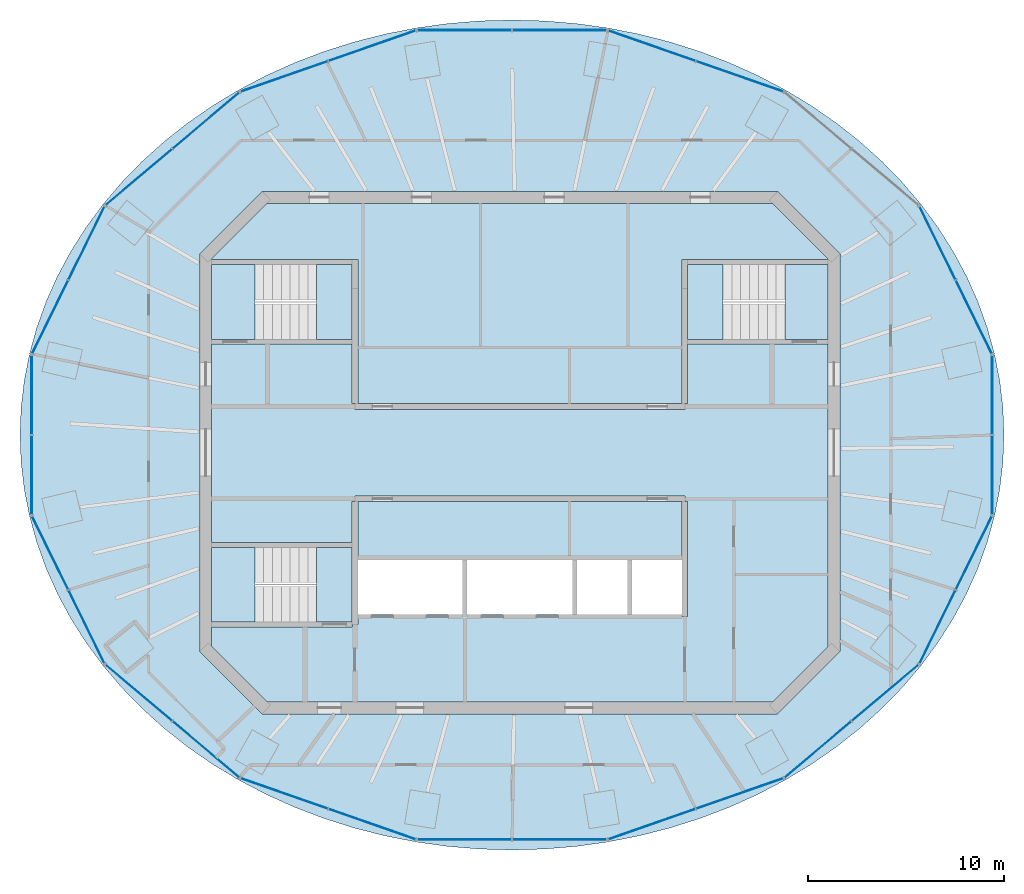
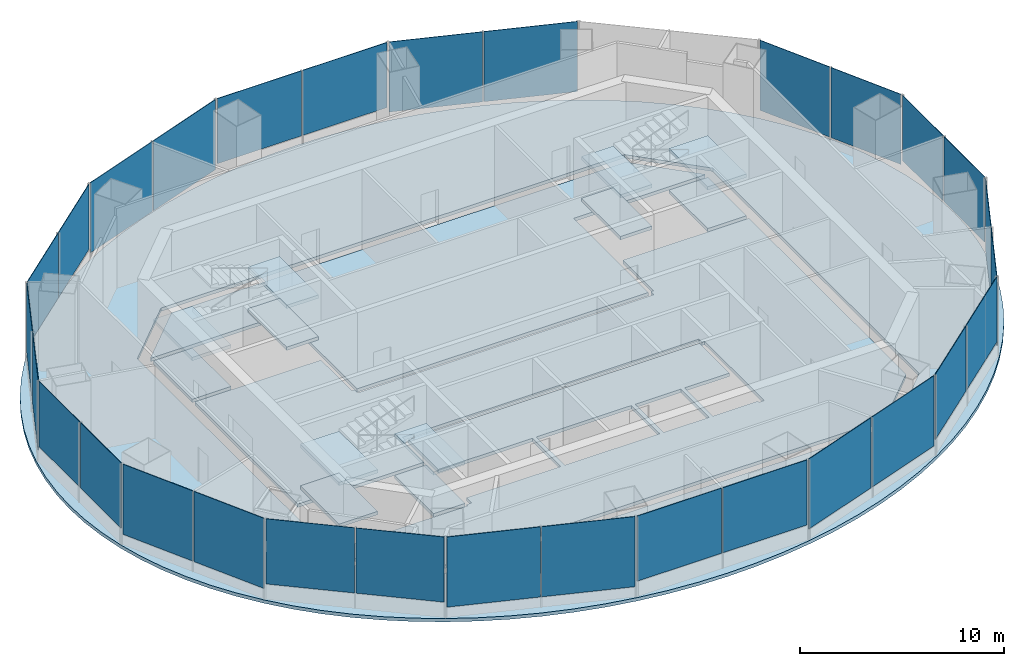
# One storey, part 7 of 12: 30 plates, 15 slabs, 18 elements without a shape of their own.
"""IFC4 building model written with IfcOpenShell, lengths in metres."""

from ifc_helpers import new_model, si_unit, direction, frame, origin, origin_2d, place, context, subcontext, project, spatial, polyline, rectangle, outline, extrude, material, layer, layer_set, type_object, element, aggregate, save


model = new_model("IFC4")

# Units and contexts
model_context = context("Model", 3, precision=1e-05, world=origin(), true_north=direction((0.0, 1.0)))
body_context = subcontext(model_context, "Body", "Model", "MODEL_VIEW")
ifc_project = project(units=[si_unit("LENGTHUNIT", "METRE"), si_unit("AREAUNIT", "SQUARE_METRE"), si_unit("VOLUMEUNIT", "CUBIC_METRE"), si_unit("PLANEANGLEUNIT", "RADIAN"), si_unit("MASSUNIT", "GRAM", prefix="KILO")], contexts=[model_context])

# Site, building, storey
site_placement = place(None, origin())
site = spatial("IfcSite", under=ifc_project, at=site_placement, CompositionType="ELEMENT")
building_placement = place(site_placement, origin())
building = spatial("IfcBuilding", under=site, at=building_placement, Name="Marenthal Gate Tower", CompositionType="ELEMENT")
storey_placement = place(building_placement, frame((0.0, 0.0, 413.550048828125)))
storey = spatial("IfcBuildingStorey", under=building, at=storey_placement, Name="L93", CompositionType="ELEMENT", Elevation=413.550048828125)

# Slabs
ifc_material_1 = material(Name="Concrete 50 MPa", Category="concrete")
ifc_layer_1 = layer(ifc_material_1, 0.199951171875)
ifc_layer_set_1 = layer_set([ifc_layer_1], Name="Core floor slab 200")
slab_type_1 = type_object("IfcSlabType", Name="Core floor slab 200", PredefinedType="FLOOR", material=ifc_layer_set_1)
slab_1_placement = place(storey_placement, frame((0.0, 0.0, -0.199951171875)))
element("IfcSlab", 1, at=slab_1_placement, inside=storey, type_object=slab_type_1, Name="Core floor L93", PredefinedType="FLOOR", context=body_context, shape_type="SweptSolid", body=[
    extrude(outline(polyline([(12.875732421875, -12.699951171875), (-12.875732421875, -12.699951171875), (-15.699951171875, -9.875732421875), (-15.699951171875, -8.875), (-8.550048828125, -8.875), (-8.550048828125, -8.75), (-8.25, -8.75), (-8.25, -8.239990234375), (-5.60009765625, -8.239990234375), (-2.909912109375, -8.239990234375), (-2.909912109375, -5.4599609375), (-5.60009765625, -5.4599609375), (-8.25, -5.4599609375), (-8.25, -2.5), (8.25, -2.5), (8.25, -5.4599609375), (5.7099609375, -5.4599609375), (5.7099609375, -8.239990234375), (8.25, -8.239990234375), (8.25, -8.35009765625), (8.550048828125, -8.35009765625), (8.550048828125, -2.5), (8.39990234375, -2.5), (8.39990234375, -2.199951171875), (-8.39990234375, -2.199951171875), (-8.39990234375, -2.5), (-8.550048828125, -2.5), (-8.550048828125, -4.574951171875), (-15.699951171875, -4.574951171875), (-15.699951171875, 5.52490234375), (-8.550048828125, 5.52490234375), (-8.550048828125, 2.5), (-8.39990234375, 2.5), (-8.39990234375, 2.199951171875), (8.39990234375, 2.199951171875), (8.39990234375, 2.5), (8.550048828125, 2.5), (8.550048828125, 5.52490234375), (15.699951171875, 5.52490234375), (15.699951171875, -9.875732421875), (12.875732421875, -12.699951171875)]), holes=[polyline([(0.0, -8.239990234375), (2.68994140625, -8.239990234375), (2.68994140625, -5.4599609375), (0.0, -5.4599609375), (-2.68994140625, -5.4599609375), (-2.68994140625, -8.239990234375), (0.0, -8.239990234375)]), polyline([(2.909912109375, -5.4599609375), (2.909912109375, -8.239990234375), (5.489990234375, -8.239990234375), (5.489990234375, -5.4599609375), (2.909912109375, -5.4599609375)])]), origin(), (0.0, 0.0, 1.0), 0.199951171875),
])
slab_2_placement = place(storey_placement, frame((0.0, 0.0, -0.199951171875)))
element("IfcSlab", 2, at=slab_2_placement, inside=storey, type_object=slab_type_1, Name="Core floor L93", PredefinedType="FLOOR", context=body_context, shape_type="SweptSolid", body=[
    extrude(outline(polyline([(15.699951171875, 5.77490234375), (13.5, 5.77490234375), (13.5, 9.574951171875), (15.699951171875, 9.574951171875), (15.699951171875, 5.77490234375)])), origin(), (0.0, 0.0, 1.0), 0.199951171875),
])
slab_3_placement = place(storey_placement, frame((0.0, 0.0, -0.199951171875)))
element("IfcSlab", 3, at=slab_3_placement, inside=storey, type_object=slab_type_1, Name="Core floor L93", PredefinedType="FLOOR", context=body_context, shape_type="SweptSolid", body=[
    extrude(outline(polyline([(15.699951171875, 9.824951171875), (8.550048828125, 9.824951171875), (8.25, 9.824951171875), (8.25, 8.35009765625), (8.25, 2.5), (-8.25, 2.5), (-8.25, 8.35009765625), (-8.25, 9.824951171875), (-8.550048828125, 9.824951171875), (-15.699951171875, 9.824951171875), (-15.699951171875, 9.875732421875), (-12.875732421875, 12.699951171875), (12.875732421875, 12.699951171875), (15.699951171875, 9.875732421875), (15.699951171875, 9.824951171875)])), origin(), (0.0, 0.0, 1.0), 0.199951171875),
])
slab_4_placement = place(storey_placement, frame((0.0, 0.0, -0.199951171875)))
element("IfcSlab", 4, at=slab_4_placement, inside=storey, type_object=slab_type_1, Name="Core floor L93", PredefinedType="FLOOR", context=body_context, shape_type="SweptSolid", body=[
    extrude(outline(polyline([(-15.699951171875, 9.574951171875), (-13.5, 9.574951171875), (-13.5, 5.77490234375), (-15.699951171875, 5.77490234375), (-15.699951171875, 9.574951171875)])), origin(), (0.0, 0.0, 1.0), 0.199951171875),
])
slab_5_placement = place(storey_placement, frame((0.0, 0.0, -0.199951171875)))
element("IfcSlab", 5, at=slab_5_placement, inside=storey, type_object=slab_type_1, Name="Core floor L93", PredefinedType="FLOOR", context=body_context, shape_type="SweptSolid", body=[
    extrude(outline(polyline([(-10.35009765625, -8.625), (-10.35009765625, -4.824951171875), (-8.550048828125, -4.824951171875), (-8.550048828125, -8.625), (-10.35009765625, -8.625)])), origin(), (0.0, 0.0, 1.0), 0.199951171875),
])

# Curtain wall, plates
ifc_material_2 = material(Name="Aluminium and glass", Category="aluminium")
curtain_wall_type_1 = type_object("IfcCurtainWallType", Name="Curtain wall typical high", PredefinedType="NOTDEFINED", material=ifc_material_2)
curtain_wall_1_placement = place(storey_placement, origin())
curtain_wall_1 = element("IfcCurtainWall", 6, at=curtain_wall_1_placement, inside=storey, type_object=curtain_wall_type_1, Name="Curtain wall L93 bay 4", PredefinedType="NOTDEFINED")
ifc_material_3 = material(Name="Glass, laminated insulating unit", Category="glass")
ifc_layer_2 = layer(ifc_material_3, 0.031982421875)
ifc_layer_set_2 = layer_set([ifc_layer_2], Name="Glass panel 32 typical high")
plate_type_1 = type_object("IfcPlateType", Name="Glass panel 32 typical high", PredefinedType="CURTAIN_PANEL", material=ifc_layer_set_2)
plate_1_placement = place(storey_placement, frame((2.017578125, 21.51123046875, 0.89990234375), z_axis=(0.0, 0.0, 1.0), x_axis=(-1.0, 0.0, 0.0)))
plate_1 = element("IfcPlate", 7, at=plate_1_placement, type_object=plate_type_1, Name="Glass panel L93 bay 4.1", PredefinedType="CURTAIN_PANEL", context=body_context, shape_type="SweptSolid", body=[
    extrude(rectangle(XDim=4.775146484375, YDim=0.031982421875, at=origin_2d()), origin(), (0.0, 0.0, 1.0), 3.89990234375),
])
plate_2_placement = place(storey_placement, frame((-2.817626953125, 21.51123046875, 0.89990234375), z_axis=(0.0, 0.0, 1.0), x_axis=(-1.0, 0.0, 0.0)))
plate_2 = element("IfcPlate", 8, at=plate_2_placement, type_object=plate_type_1, Name="Glass panel L93 bay 4.2", PredefinedType="CURTAIN_PANEL", context=body_context, shape_type="SweptSolid", body=[
    extrude(rectangle(XDim=4.775146484375, YDim=0.031982421875, at=origin_2d()), origin(), (0.0, 0.0, 1.0), 3.89990234375),
])
aggregate(curtain_wall_1, [plate_1, plate_2])

curtain_wall_2_placement = place(storey_placement, origin())
curtain_wall_2 = element("IfcCurtainWall", 9, at=curtain_wall_2_placement, inside=storey, type_object=curtain_wall_type_1, Name="Curtain wall L93 bay 6", PredefinedType="NOTDEFINED")
plate_3_placement = place(storey_placement, frame((-15.986328125, 16.9140625, 0.89990234375), z_axis=(0.0, 0.0, 1.0), x_axis=(-0.764693267919, -0.644394449075, 0.0)))
plate_3 = element("IfcPlate", 10, at=plate_3_placement, type_object=plate_type_1, Name="Glass panel L93 bay 6.1", PredefinedType="CURTAIN_PANEL", context=body_context, shape_type="SweptSolid", body=[
    extrude(rectangle(XDim=4.40869140625, YDim=0.031982421875, at=origin_2d()), origin(), (0.0, 0.0, 1.0), 3.89990234375),
])
plate_4_placement = place(storey_placement, frame((-19.403564453125, 14.034423828125, 0.89990234375), z_axis=(0.0, 0.0, 1.0), x_axis=(-0.764693267919, -0.644394449075, 0.0)))
plate_4 = element("IfcPlate", 11, at=plate_4_placement, type_object=plate_type_1, Name="Glass panel L93 bay 6.2", PredefinedType="CURTAIN_PANEL", context=body_context, shape_type="SweptSolid", body=[
    extrude(rectangle(XDim=4.40869140625, YDim=0.031982421875, at=origin_2d()), origin(), (0.0, 0.0, 1.0), 3.89990234375),
])
aggregate(curtain_wall_2, [plate_3, plate_4])

curtain_wall_3_placement = place(storey_placement, origin())
curtain_wall_3 = element("IfcCurtainWall", 12, at=curtain_wall_3_placement, inside=storey, type_object=curtain_wall_type_1, Name="Curtain wall L93 bay 8", PredefinedType="NOTDEFINED")
plate_5_placement = place(storey_placement, frame((-24.85888671875, 2.934814453125, 0.89990234375), z_axis=(0.0, 0.0, 1.0), x_axis=(0.0, -1.0, 0.0)))
plate_5 = element("IfcPlate", 13, at=plate_5_placement, type_object=plate_type_1, Name="Glass panel L93 bay 8.1", PredefinedType="CURTAIN_PANEL", context=body_context, shape_type="SweptSolid", body=[
    extrude(rectangle(XDim=4.009765625, YDim=0.031982421875, at=origin_2d()), origin(), (0.0, 0.0, 1.0), 3.89990234375),
])
plate_6_placement = place(storey_placement, frame((-24.85888671875, -1.135009765625, 0.89990234375), z_axis=(0.0, 0.0, 1.0), x_axis=(0.0, -1.0, 0.0)))
plate_6 = element("IfcPlate", 14, at=plate_6_placement, type_object=plate_type_1, Name="Glass panel L93 bay 8.2", PredefinedType="CURTAIN_PANEL", context=body_context, shape_type="SweptSolid", body=[
    extrude(rectangle(XDim=4.009765625, YDim=0.031982421875, at=origin_2d()), origin(), (0.0, 0.0, 1.0), 3.89990234375),
])
aggregate(curtain_wall_3, [plate_5, plate_6])

curtain_wall_4_placement = place(storey_placement, origin())
curtain_wall_4 = element("IfcCurtainWall", 15, at=curtain_wall_4_placement, inside=storey, type_object=curtain_wall_type_1, Name="Curtain wall L93 bay 10", PredefinedType="NOTDEFINED")
plate_7_placement = place(storey_placement, frame((-19.403564453125, -12.234375, 0.89990234375), z_axis=(0.0, 0.0, 1.0), x_axis=(0.764693267919, -0.644394449075, 0.0)))
plate_7 = element("IfcPlate", 16, at=plate_7_placement, type_object=plate_type_1, Name="Glass panel L93 bay 10.1", PredefinedType="CURTAIN_PANEL", context=body_context, shape_type="SweptSolid", body=[
    extrude(rectangle(XDim=4.40869140625, YDim=0.031982421875, at=origin_2d()), origin(), (0.0, 0.0, 1.0), 3.89990234375),
])
plate_8_placement = place(storey_placement, frame((-15.986328125, -15.1142578125, 0.89990234375), z_axis=(0.0, 0.0, 1.0), x_axis=(0.764693267919, -0.644394449075, 0.0)))
plate_8 = element("IfcPlate", 17, at=plate_8_placement, type_object=plate_type_1, Name="Glass panel L93 bay 10.2", PredefinedType="CURTAIN_PANEL", context=body_context, shape_type="SweptSolid", body=[
    extrude(rectangle(XDim=4.40869140625, YDim=0.031982421875, at=origin_2d()), origin(), (0.0, 0.0, 1.0), 3.89990234375),
])
aggregate(curtain_wall_4, [plate_7, plate_8])

curtain_wall_5_placement = place(storey_placement, origin())
curtain_wall_5 = element("IfcCurtainWall", 18, at=curtain_wall_5_placement, inside=storey, type_object=curtain_wall_type_1, Name="Curtain wall L93 bay 12", PredefinedType="NOTDEFINED")
plate_9_placement = place(storey_placement, frame((-2.817626953125, -19.711181640625, 0.89990234375), z_axis=(0.0, 0.0, 1.0), x_axis=(1.0, 0.0, 0.0)))
plate_9 = element("IfcPlate", 19, at=plate_9_placement, type_object=plate_type_1, Name="Glass panel L93 bay 12.1", PredefinedType="CURTAIN_PANEL", context=body_context, shape_type="SweptSolid", body=[
    extrude(rectangle(XDim=4.775146484375, YDim=0.031982421875, at=origin_2d()), origin(), (0.0, 0.0, 1.0), 3.89990234375),
])
plate_10_placement = place(storey_placement, frame((2.017578125, -19.711181640625, 0.89990234375), z_axis=(0.0, 0.0, 1.0), x_axis=(1.0, 0.0, 0.0)))
plate_10 = element("IfcPlate", 20, at=plate_10_placement, type_object=plate_type_1, Name="Glass panel L93 bay 12.2", PredefinedType="CURTAIN_PANEL", context=body_context, shape_type="SweptSolid", body=[
    extrude(rectangle(XDim=4.775146484375, YDim=0.031982421875, at=origin_2d()), origin(), (0.0, 0.0, 1.0), 3.89990234375),
])
aggregate(curtain_wall_5, [plate_9, plate_10])

curtain_wall_6_placement = place(storey_placement, origin())
curtain_wall_6 = element("IfcCurtainWall", 21, at=curtain_wall_6_placement, inside=storey, type_object=curtain_wall_type_1, Name="Curtain wall L93 bay 14", PredefinedType="NOTDEFINED")
plate_11_placement = place(storey_placement, frame((15.186279296875, -15.114013671875, 0.89990234375), z_axis=(0.0, 0.0, 1.0), x_axis=(0.764693267919, 0.644394449075, 0.0)))
plate_11 = element("IfcPlate", 22, at=plate_11_placement, type_object=plate_type_1, Name="Glass panel L93 bay 14.1", PredefinedType="CURTAIN_PANEL", context=body_context, shape_type="SweptSolid", body=[
    extrude(rectangle(XDim=4.40869140625, YDim=0.031982421875, at=origin_2d()), origin(), (0.0, 0.0, 1.0), 3.89990234375),
])
plate_12_placement = place(storey_placement, frame((18.603515625, -12.234375, 0.89990234375), z_axis=(0.0, 0.0, 1.0), x_axis=(0.764693267919, 0.644394449075, 0.0)))
plate_12 = element("IfcPlate", 23, at=plate_12_placement, type_object=plate_type_1, Name="Glass panel L93 bay 14.2", PredefinedType="CURTAIN_PANEL", context=body_context, shape_type="SweptSolid", body=[
    extrude(rectangle(XDim=4.40869140625, YDim=0.031982421875, at=origin_2d()), origin(), (0.0, 0.0, 1.0), 3.89990234375),
])
aggregate(curtain_wall_6, [plate_11, plate_12])

curtain_wall_7_placement = place(storey_placement, origin())
curtain_wall_7 = element("IfcCurtainWall", 24, at=curtain_wall_7_placement, inside=storey, type_object=curtain_wall_type_1, Name="Curtain wall L93 bay 16", PredefinedType="NOTDEFINED")
plate_13_placement = place(storey_placement, frame((24.058837890625, -1.135009765625, 0.89990234375), z_axis=(0.0, 0.0, 1.0), x_axis=(0.0, 1.0, 0.0)))
plate_13 = element("IfcPlate", 25, at=plate_13_placement, type_object=plate_type_1, Name="Glass panel L93 bay 16.1", PredefinedType="CURTAIN_PANEL", context=body_context, shape_type="SweptSolid", body=[
    extrude(rectangle(XDim=4.009765625, YDim=0.031982421875, at=origin_2d()), origin(), (0.0, 0.0, 1.0), 3.89990234375),
])
plate_14_placement = place(storey_placement, frame((24.058837890625, 2.934814453125, 0.89990234375), z_axis=(0.0, 0.0, 1.0), x_axis=(0.0, 1.0, 0.0)))
plate_14 = element("IfcPlate", 26, at=plate_14_placement, type_object=plate_type_1, Name="Glass panel L93 bay 16.2", PredefinedType="CURTAIN_PANEL", context=body_context, shape_type="SweptSolid", body=[
    extrude(rectangle(XDim=4.009765625, YDim=0.031982421875, at=origin_2d()), origin(), (0.0, 0.0, 1.0), 3.89990234375),
])
aggregate(curtain_wall_7, [plate_13, plate_14])

# Slab
ifc_material_4 = material(Name="Concrete 35 MPa", Category="concrete")
ifc_layer_3 = layer(ifc_material_4, 0.199951171875)
ifc_layer_set_3 = layer_set([ifc_layer_3], Name="Plant floor slab 200")
slab_type_2 = type_object("IfcSlabType", Name="Plant floor slab 200", PredefinedType="FLOOR", material=ifc_layer_set_3)
slab_6_placement = place(storey_placement, frame((0.0, 0.0, -0.199951171875)))
element("IfcSlab", 27, at=slab_6_placement, inside=storey, type_object=slab_type_2, Name="SL-L93-01", PredefinedType="FLOOR", context=body_context, shape_type="SweptSolid", body=[
    extrude(outline(polyline([(24.657958984375, 0.89990234375), (24.604248046875, 2.2822265625), (24.443603515625, 3.65869140625), (24.176513671875, 5.023193359375), (23.80419921875, 6.3701171875), (23.328125, 7.693603515625), (22.75048828125, 8.988037109375), (22.07373046875, 10.247802734375), (21.30078125, 11.467529296875), (20.43505859375, 12.64208984375), (19.479736328125, 13.76611328125), (18.439697265625, 14.835205078125), (17.318603515625, 15.8447265625), (16.121826171875, 16.7900390625), (14.854248046875, 17.66748046875), (13.521484375, 18.47314453125), (12.12890625, 19.203369140625), (10.682861328125, 19.85546875), (9.189208984375, 20.42626953125), (7.654541015625, 20.913330078125), (6.08544921875, 21.314697265625), (4.488525390625, 21.62890625), (2.87060546875, 21.854248046875), (1.239013671875, 21.98974609375), (-0.39990234375, 22.034912109375), (-2.038818359375, 21.98974609375), (-3.670654296875, 21.854248046875), (-5.28857421875, 21.62890625), (-6.885498046875, 21.314697265625), (-8.45458984375, 20.913330078125), (-9.9892578125, 20.42626953125), (-11.48291015625, 19.85546875), (-12.928955078125, 19.203369140625), (-14.321533203125, 18.47314453125), (-15.654296875, 17.66748046875), (-16.921875, 16.7900390625), (-18.11865234375, 15.8447265625), (-19.239501953125, 14.835205078125), (-20.27978515625, 13.76611328125), (-21.235107421875, 12.64208984375), (-22.100830078125, 11.467529296875), (-22.873779296875, 10.247802734375), (-23.550537109375, 8.988037109375), (-24.128173828125, 7.693603515625), (-24.604248046875, 6.3701171875), (-24.9765625, 5.023193359375), (-25.24365234375, 3.65869140625), (-25.404296875, 2.2822265625), (-25.4580078125, 0.89990234375), (-25.404296875, -0.482421875), (-25.24365234375, -1.858642578125), (-24.9765625, -3.22314453125), (-24.604248046875, -4.570068359375), (-24.128173828125, -5.8935546875), (-23.550537109375, -7.18798828125), (-22.873779296875, -8.44775390625), (-22.100830078125, -9.66748046875), (-21.235107421875, -10.842041015625), (-20.27978515625, -11.96630859375), (-19.239501953125, -13.035400390625), (-18.11865234375, -14.044677734375), (-16.921875, -14.989990234375), (-15.654296875, -15.867431640625), (-14.321533203125, -16.673095703125), (-12.928955078125, -17.4033203125), (-11.48291015625, -18.055419921875), (-9.9892578125, -18.626220703125), (-8.45458984375, -19.11328125), (-6.885498046875, -19.514892578125), (-5.28857421875, -19.828857421875), (-3.670654296875, -20.05419921875), (-2.038818359375, -20.189697265625), (-0.39990234375, -20.235107421875), (1.239013671875, -20.189697265625), (2.87060546875, -20.05419921875), (4.488525390625, -19.828857421875), (6.08544921875, -19.514892578125), (7.654541015625, -19.11328125), (9.189208984375, -18.626220703125), (10.682861328125, -18.055419921875), (12.12890625, -17.4033203125), (13.521484375, -16.673095703125), (14.854248046875, -15.867431640625), (16.121826171875, -14.989990234375), (17.318603515625, -14.044677734375), (18.439697265625, -13.035400390625), (19.479736328125, -11.96630859375), (20.43505859375, -10.842041015625), (21.30078125, -9.66748046875), (22.07373046875, -8.44775390625), (22.75048828125, -7.18798828125), (23.328125, -5.8935546875), (23.80419921875, -4.570068359375), (24.176513671875, -3.22314453125), (24.443603515625, -1.858642578125), (24.604248046875, -0.482421875), (24.657958984375, 0.89990234375)]), holes=[polyline([(13.124267578125, -13.300048828125), (16.300048828125, -10.124267578125), (16.300048828125, 10.124267578125), (13.124267578125, 13.300048828125), (-13.124267578125, 13.300048828125), (-16.300048828125, 10.124267578125), (-16.300048828125, -10.124267578125), (-13.124267578125, -13.300048828125), (13.124267578125, -13.300048828125)])]), origin(), (0.0, 0.0, 1.0), 0.199951171875),
])

# Stair, slabs
ifc_material_5 = material(Name="Concrete 40 MPa", Category="concrete")
stair_type = type_object("IfcStairType", Name="Exit stair 1800", PredefinedType="HALF_TURN_STAIR", material=ifc_material_5)
stair_1_placement = place(storey_placement, origin())
stair_1 = element("IfcStair", 28, at=stair_1_placement, inside=storey, type_object=stair_type, Name="Stair ST1", PredefinedType="HALF_TURN_STAIR")
ifc_material_6 = material(Name="Concrete 40 MPa", Category="concrete")
ifc_layer_4 = layer(ifc_material_6, 0.199951171875)
ifc_layer_set_4 = layer_set([ifc_layer_4], Name="Stair landing 200")
slab_type_3 = type_object("IfcSlabType", Name="Stair landing 200", PredefinedType="LANDING", material=ifc_layer_set_4)
slab_7_placement = place(storey_placement, frame((0.0, 0.0, 1.050048828125)))
slab_7 = element("IfcSlab", 29, at=slab_7_placement, type_object=slab_type_3, Name="ST1 landing 1", PredefinedType="LANDING", context=body_context, shape_type="SweptSolid", body=[
    extrude(outline(polyline([(-10.35009765625, 5.77490234375), (-8.550048828125, 5.77490234375), (-8.550048828125, 9.574951171875), (-10.35009765625, 9.574951171875), (-10.35009765625, 5.77490234375)])), origin(), (0.0, 0.0, 1.0), 0.199951171875),
])
slab_8_placement = place(storey_placement, frame((0.0, 0.0, 2.300048828125)))
slab_8 = element("IfcSlab", 30, at=slab_8_placement, type_object=slab_type_3, Name="ST1 landing 2", PredefinedType="LANDING", context=body_context, shape_type="SweptSolid", body=[
    extrude(outline(polyline([(-15.699951171875, 5.77490234375), (-13.5, 5.77490234375), (-13.5, 9.574951171875), (-15.699951171875, 9.574951171875), (-15.699951171875, 5.77490234375)])), origin(), (0.0, 0.0, 1.0), 0.199951171875),
])
slab_9_placement = place(storey_placement, frame((0.0, 0.0, 3.550048828125)))
slab_9 = element("IfcSlab", 31, at=slab_9_placement, type_object=slab_type_3, Name="ST1 landing 3", PredefinedType="LANDING", context=body_context, shape_type="SweptSolid", body=[
    extrude(outline(polyline([(-10.35009765625, 5.77490234375), (-8.550048828125, 5.77490234375), (-8.550048828125, 9.574951171875), (-10.35009765625, 9.574951171875), (-10.35009765625, 5.77490234375)])), origin(), (0.0, 0.0, 1.0), 0.199951171875),
])
aggregate(stair_1, [slab_7, slab_8, slab_9])

stair_2_placement = place(storey_placement, origin())
stair_2 = element("IfcStair", 32, at=stair_2_placement, inside=storey, type_object=stair_type, Name="Stair ST2", PredefinedType="HALF_TURN_STAIR")
slab_10_placement = place(storey_placement, frame((0.0, 0.0, 1.050048828125)))
slab_10 = element("IfcSlab", 33, at=slab_10_placement, type_object=slab_type_3, Name="ST2 landing 1", PredefinedType="LANDING", context=body_context, shape_type="SweptSolid", body=[
    extrude(outline(polyline([(-15.699951171875, -8.625), (-13.5, -8.625), (-13.5, -4.824951171875), (-15.699951171875, -4.824951171875), (-15.699951171875, -8.625)])), origin(), (0.0, 0.0, 1.0), 0.199951171875),
])
slab_11_placement = place(storey_placement, frame((0.0, 0.0, 2.300048828125)))
slab_11 = element("IfcSlab", 34, at=slab_11_placement, type_object=slab_type_3, Name="ST2 landing 2", PredefinedType="LANDING", context=body_context, shape_type="SweptSolid", body=[
    extrude(outline(polyline([(-10.35009765625, -8.625), (-8.550048828125, -8.625), (-8.550048828125, -4.824951171875), (-10.35009765625, -4.824951171875), (-10.35009765625, -8.625)])), origin(), (0.0, 0.0, 1.0), 0.199951171875),
])
slab_12_placement = place(storey_placement, frame((0.0, 0.0, 3.550048828125)))
slab_12 = element("IfcSlab", 35, at=slab_12_placement, type_object=slab_type_3, Name="ST2 landing 3", PredefinedType="LANDING", context=body_context, shape_type="SweptSolid", body=[
    extrude(outline(polyline([(-15.699951171875, -8.625), (-13.5, -8.625), (-13.5, -4.824951171875), (-15.699951171875, -4.824951171875), (-15.699951171875, -8.625)])), origin(), (0.0, 0.0, 1.0), 0.199951171875),
])
aggregate(stair_2, [slab_10, slab_11, slab_12])

stair_3_placement = place(storey_placement, origin())
stair_3 = element("IfcStair", 36, at=stair_3_placement, inside=storey, type_object=stair_type, Name="Stair ST3", PredefinedType="HALF_TURN_STAIR")
slab_13_placement = place(storey_placement, frame((0.0, 0.0, 1.050048828125)))
slab_13 = element("IfcSlab", 37, at=slab_13_placement, type_object=slab_type_3, Name="ST3 landing 1", PredefinedType="LANDING", context=body_context, shape_type="SweptSolid", body=[
    extrude(outline(polyline([(8.550048828125, 5.77490234375), (10.35009765625, 5.77490234375), (10.35009765625, 9.574951171875), (8.550048828125, 9.574951171875), (8.550048828125, 5.77490234375)])), origin(), (0.0, 0.0, 1.0), 0.199951171875),
])
slab_14_placement = place(storey_placement, frame((0.0, 0.0, 2.300048828125)))
slab_14 = element("IfcSlab", 38, at=slab_14_placement, type_object=slab_type_3, Name="ST3 landing 2", PredefinedType="LANDING", context=body_context, shape_type="SweptSolid", body=[
    extrude(outline(polyline([(13.5, 5.77490234375), (15.699951171875, 5.77490234375), (15.699951171875, 9.574951171875), (13.5, 9.574951171875), (13.5, 5.77490234375)])), origin(), (0.0, 0.0, 1.0), 0.199951171875),
])
slab_15_placement = place(storey_placement, frame((0.0, 0.0, 3.550048828125)))
slab_15 = element("IfcSlab", 39, at=slab_15_placement, type_object=slab_type_3, Name="ST3 landing 3", PredefinedType="LANDING", context=body_context, shape_type="SweptSolid", body=[
    extrude(outline(polyline([(8.550048828125, 5.77490234375), (10.35009765625, 5.77490234375), (10.35009765625, 9.574951171875), (8.550048828125, 9.574951171875), (8.550048828125, 5.77490234375)])), origin(), (0.0, 0.0, 1.0), 0.199951171875),
])
aggregate(stair_3, [slab_13, slab_14, slab_15])

# Curtain wall, plates
ifc_material_7 = material(Name="Aluminium and glass", Category="aluminium")
curtain_wall_type_2 = type_object("IfcCurtainWallType", Name="Curtain wall crown clad", PredefinedType="NOTDEFINED", material=ifc_material_7)
curtain_wall_8_placement = place(storey_placement, origin())
curtain_wall_8 = element("IfcCurtainWall", 40, at=curtain_wall_8_placement, inside=storey, type_object=curtain_wall_type_2, Name="Curtain wall L93 bay 1", PredefinedType="NOTDEFINED")
ifc_material_8 = material(Name="Terracotta cladding panel", Category="masonry")
ifc_layer_5 = layer(ifc_material_8, 0.031982421875)
ifc_layer_set_5 = layer_set([ifc_layer_5], Name="Terracotta panel 32 crown clad")
plate_type_2 = type_object("IfcPlateType", Name="Terracotta panel 32 crown clad", PredefinedType="CURTAIN_PANEL", material=ifc_layer_set_5)
plate_15_placement = place(storey_placement, frame((23.121337890625, 6.9072265625, 0.60009765625), z_axis=(0.0, 0.0, 1.0), x_axis=(-0.441123539953, 0.897446389763, 0.0)))
plate_15 = element("IfcPlate", 41, at=plate_15_placement, type_object=plate_type_2, Name="Terracotta panel L93 bay 1.1", PredefinedType="CURTAIN_PANEL", context=body_context, shape_type="SweptSolid", body=[
    extrude(rectangle(XDim=4.130615234375, YDim=0.031982421875, at=origin_2d()), origin(), (0.0, 0.0, 1.0), 4.199951171875),
])
plate_16_placement = place(storey_placement, frame((21.272705078125, 10.66796875, 0.60009765625), z_axis=(0.0, 0.0, 1.0), x_axis=(-0.441123539953, 0.897446389763, 0.0)))
plate_16 = element("IfcPlate", 42, at=plate_16_placement, type_object=plate_type_2, Name="Terracotta panel L93 bay 1.2", PredefinedType="CURTAIN_PANEL", context=body_context, shape_type="SweptSolid", body=[
    extrude(rectangle(XDim=4.130615234375, YDim=0.031982421875, at=origin_2d()), origin(), (0.0, 0.0, 1.0), 4.199951171875),
])
aggregate(curtain_wall_8, [plate_15, plate_16])

curtain_wall_9_placement = place(storey_placement, origin())
curtain_wall_9 = element("IfcCurtainWall", 43, at=curtain_wall_9_placement, inside=storey, type_object=curtain_wall_type_2, Name="Curtain wall L93 bay 3", PredefinedType="NOTDEFINED")
plate_17_placement = place(storey_placement, frame((11.193115234375, 19.162841796875, 0.60009765625), z_axis=(0.0, 0.0, 1.0), x_axis=(-0.944135066585, 0.329558759622, 0.0)))
plate_17 = element("IfcPlate", 44, at=plate_17_placement, type_object=plate_type_2, Name="Terracotta panel L93 bay 3.1", PredefinedType="CURTAIN_PANEL", context=body_context, shape_type="SweptSolid", body=[
    extrude(rectangle(XDim=4.6708984375, YDim=0.031982421875, at=origin_2d()), origin(), (0.0, 0.0, 1.0), 4.199951171875),
])
plate_18_placement = place(storey_placement, frame((6.726806640625, 20.7216796875, 0.60009765625), z_axis=(0.0, 0.0, 1.0), x_axis=(-0.944135066585, 0.329558759622, 0.0)))
plate_18 = element("IfcPlate", 45, at=plate_18_placement, type_object=plate_type_2, Name="Terracotta panel L93 bay 3.2", PredefinedType="CURTAIN_PANEL", context=body_context, shape_type="SweptSolid", body=[
    extrude(rectangle(XDim=4.670654296875, YDim=0.031982421875, at=origin_2d()), origin(), (0.0, 0.0, 1.0), 4.199951171875),
])
aggregate(curtain_wall_9, [plate_17, plate_18])

curtain_wall_10_placement = place(storey_placement, origin())
curtain_wall_10 = element("IfcCurtainWall", 46, at=curtain_wall_10_placement, inside=storey, type_object=curtain_wall_type_2, Name="Curtain wall L93 bay 5", PredefinedType="NOTDEFINED")
plate_19_placement = place(storey_placement, frame((-7.52685546875, 20.7216796875, 0.60009765625), z_axis=(0.0, 0.0, 1.0), x_axis=(-0.944135066585, -0.329558759622, 0.0)))
plate_19 = element("IfcPlate", 47, at=plate_19_placement, type_object=plate_type_2, Name="Terracotta panel L93 bay 5.1", PredefinedType="CURTAIN_PANEL", context=body_context, shape_type="SweptSolid", body=[
    extrude(rectangle(XDim=4.6708984375, YDim=0.031982421875, at=origin_2d()), origin(), (0.0, 0.0, 1.0), 4.199951171875),
])
plate_20_placement = place(storey_placement, frame((-11.9931640625, 19.16259765625, 0.60009765625), z_axis=(0.0, 0.0, 1.0), x_axis=(-0.944135066585, -0.329558759622, 0.0)))
plate_20 = element("IfcPlate", 48, at=plate_20_placement, type_object=plate_type_2, Name="Terracotta panel L93 bay 5.2", PredefinedType="CURTAIN_PANEL", context=body_context, shape_type="SweptSolid", body=[
    extrude(rectangle(XDim=4.670654296875, YDim=0.031982421875, at=origin_2d()), origin(), (0.0, 0.0, 1.0), 4.199951171875),
])
aggregate(curtain_wall_10, [plate_19, plate_20])

curtain_wall_11_placement = place(storey_placement, origin())
curtain_wall_11 = element("IfcCurtainWall", 49, at=curtain_wall_11_placement, inside=storey, type_object=curtain_wall_type_2, Name="Curtain wall L93 bay 7", PredefinedType="NOTDEFINED")
plate_21_placement = place(storey_placement, frame((-22.07275390625, 10.66796875, 0.60009765625), z_axis=(0.0, 0.0, 1.0), x_axis=(-0.441123539953, -0.897446389763, 0.0)))
plate_21 = element("IfcPlate", 50, at=plate_21_placement, type_object=plate_type_2, Name="Terracotta panel L93 bay 7.1", PredefinedType="CURTAIN_PANEL", context=body_context, shape_type="SweptSolid", body=[
    extrude(rectangle(XDim=4.130615234375, YDim=0.031982421875, at=origin_2d()), origin(), (0.0, 0.0, 1.0), 4.199951171875),
])
plate_22_placement = place(storey_placement, frame((-23.92138671875, 6.9072265625, 0.60009765625), z_axis=(0.0, 0.0, 1.0), x_axis=(-0.441123539953, -0.897446389763, 0.0)))
plate_22 = element("IfcPlate", 51, at=plate_22_placement, type_object=plate_type_2, Name="Terracotta panel L93 bay 7.2", PredefinedType="CURTAIN_PANEL", context=body_context, shape_type="SweptSolid", body=[
    extrude(rectangle(XDim=4.130615234375, YDim=0.031982421875, at=origin_2d()), origin(), (0.0, 0.0, 1.0), 4.199951171875),
])
aggregate(curtain_wall_11, [plate_21, plate_22])

curtain_wall_12_placement = place(storey_placement, origin())
curtain_wall_12 = element("IfcCurtainWall", 52, at=curtain_wall_12_placement, inside=storey, type_object=curtain_wall_type_2, Name="Curtain wall L93 bay 9", PredefinedType="NOTDEFINED")
plate_23_placement = place(storey_placement, frame((-23.92138671875, -5.107177734375, 0.60009765625), z_axis=(0.0, 0.0, 1.0), x_axis=(0.441123539953, -0.897446389763, 0.0)))
plate_23 = element("IfcPlate", 53, at=plate_23_placement, type_object=plate_type_2, Name="Terracotta panel L93 bay 9.1", PredefinedType="CURTAIN_PANEL", context=body_context, shape_type="SweptSolid", body=[
    extrude(rectangle(XDim=4.130615234375, YDim=0.031982421875, at=origin_2d()), origin(), (0.0, 0.0, 1.0), 4.199951171875),
])
plate_24_placement = place(storey_placement, frame((-22.07275390625, -8.867919921875, 0.60009765625), z_axis=(0.0, 0.0, 1.0), x_axis=(0.441123539953, -0.897446389763, 0.0)))
plate_24 = element("IfcPlate", 54, at=plate_24_placement, type_object=plate_type_2, Name="Terracotta panel L93 bay 9.2", PredefinedType="CURTAIN_PANEL", context=body_context, shape_type="SweptSolid", body=[
    extrude(rectangle(XDim=4.130615234375, YDim=0.031982421875, at=origin_2d()), origin(), (0.0, 0.0, 1.0), 4.199951171875),
])
aggregate(curtain_wall_12, [plate_23, plate_24])

curtain_wall_13_placement = place(storey_placement, origin())
curtain_wall_13 = element("IfcCurtainWall", 55, at=curtain_wall_13_placement, inside=storey, type_object=curtain_wall_type_2, Name="Curtain wall L93 bay 11", PredefinedType="NOTDEFINED")
plate_25_placement = place(storey_placement, frame((-11.9931640625, -17.36279296875, 0.60009765625), z_axis=(0.0, 0.0, 1.0), x_axis=(0.944135066585, -0.329558759622, 0.0)))
plate_25 = element("IfcPlate", 56, at=plate_25_placement, type_object=plate_type_2, Name="Terracotta panel L93 bay 11.1", PredefinedType="CURTAIN_PANEL", context=body_context, shape_type="SweptSolid", body=[
    extrude(rectangle(XDim=4.6708984375, YDim=0.031982421875, at=origin_2d()), origin(), (0.0, 0.0, 1.0), 4.199951171875),
])
plate_26_placement = place(storey_placement, frame((-7.52685546875, -18.921875, 0.60009765625), z_axis=(0.0, 0.0, 1.0), x_axis=(0.944135066585, -0.329558759622, 0.0)))
plate_26 = element("IfcPlate", 57, at=plate_26_placement, type_object=plate_type_2, Name="Terracotta panel L93 bay 11.2", PredefinedType="CURTAIN_PANEL", context=body_context, shape_type="SweptSolid", body=[
    extrude(rectangle(XDim=4.670654296875, YDim=0.031982421875, at=origin_2d()), origin(), (0.0, 0.0, 1.0), 4.199951171875),
])
aggregate(curtain_wall_13, [plate_25, plate_26])

curtain_wall_14_placement = place(storey_placement, origin())
curtain_wall_14 = element("IfcCurtainWall", 58, at=curtain_wall_14_placement, inside=storey, type_object=curtain_wall_type_2, Name="Curtain wall L93 bay 13", PredefinedType="NOTDEFINED")
plate_27_placement = place(storey_placement, frame((6.726806640625, -18.921875, 0.60009765625), z_axis=(0.0, 0.0, 1.0), x_axis=(0.944135066585, 0.329558759622, 0.0)))
plate_27 = element("IfcPlate", 59, at=plate_27_placement, type_object=plate_type_2, Name="Terracotta panel L93 bay 13.1", PredefinedType="CURTAIN_PANEL", context=body_context, shape_type="SweptSolid", body=[
    extrude(rectangle(XDim=4.6708984375, YDim=0.031982421875, at=origin_2d()), origin(), (0.0, 0.0, 1.0), 4.199951171875),
])
plate_28_placement = place(storey_placement, frame((11.193359375, -17.36279296875, 0.60009765625), z_axis=(0.0, 0.0, 1.0), x_axis=(0.944135066585, 0.329558759622, 0.0)))
plate_28 = element("IfcPlate", 60, at=plate_28_placement, type_object=plate_type_2, Name="Terracotta panel L93 bay 13.2", PredefinedType="CURTAIN_PANEL", context=body_context, shape_type="SweptSolid", body=[
    extrude(rectangle(XDim=4.670654296875, YDim=0.031982421875, at=origin_2d()), origin(), (0.0, 0.0, 1.0), 4.199951171875),
])
aggregate(curtain_wall_14, [plate_27, plate_28])

curtain_wall_15_placement = place(storey_placement, origin())
curtain_wall_15 = element("IfcCurtainWall", 61, at=curtain_wall_15_placement, inside=storey, type_object=curtain_wall_type_2, Name="Curtain wall L93 bay 15", PredefinedType="NOTDEFINED")
plate_29_placement = place(storey_placement, frame((21.272705078125, -8.867919921875, 0.60009765625), z_axis=(0.0, 0.0, 1.0), x_axis=(0.441123539953, 0.897446389763, 0.0)))
plate_29 = element("IfcPlate", 62, at=plate_29_placement, type_object=plate_type_2, Name="Terracotta panel L93 bay 15.1", PredefinedType="CURTAIN_PANEL", context=body_context, shape_type="SweptSolid", body=[
    extrude(rectangle(XDim=4.130615234375, YDim=0.031982421875, at=origin_2d()), origin(), (0.0, 0.0, 1.0), 4.199951171875),
])
plate_30_placement = place(storey_placement, frame((23.121337890625, -5.107177734375, 0.60009765625), z_axis=(0.0, 0.0, 1.0), x_axis=(0.441123539953, 0.897446389763, 0.0)))
plate_30 = element("IfcPlate", 63, at=plate_30_placement, type_object=plate_type_2, Name="Terracotta panel L93 bay 15.2", PredefinedType="CURTAIN_PANEL", context=body_context, shape_type="SweptSolid", body=[
    extrude(rectangle(XDim=4.130615234375, YDim=0.031982421875, at=origin_2d()), origin(), (0.0, 0.0, 1.0), 4.199951171875),
])
aggregate(curtain_wall_15, [plate_29, plate_30])

save(model, "model.ifc")
